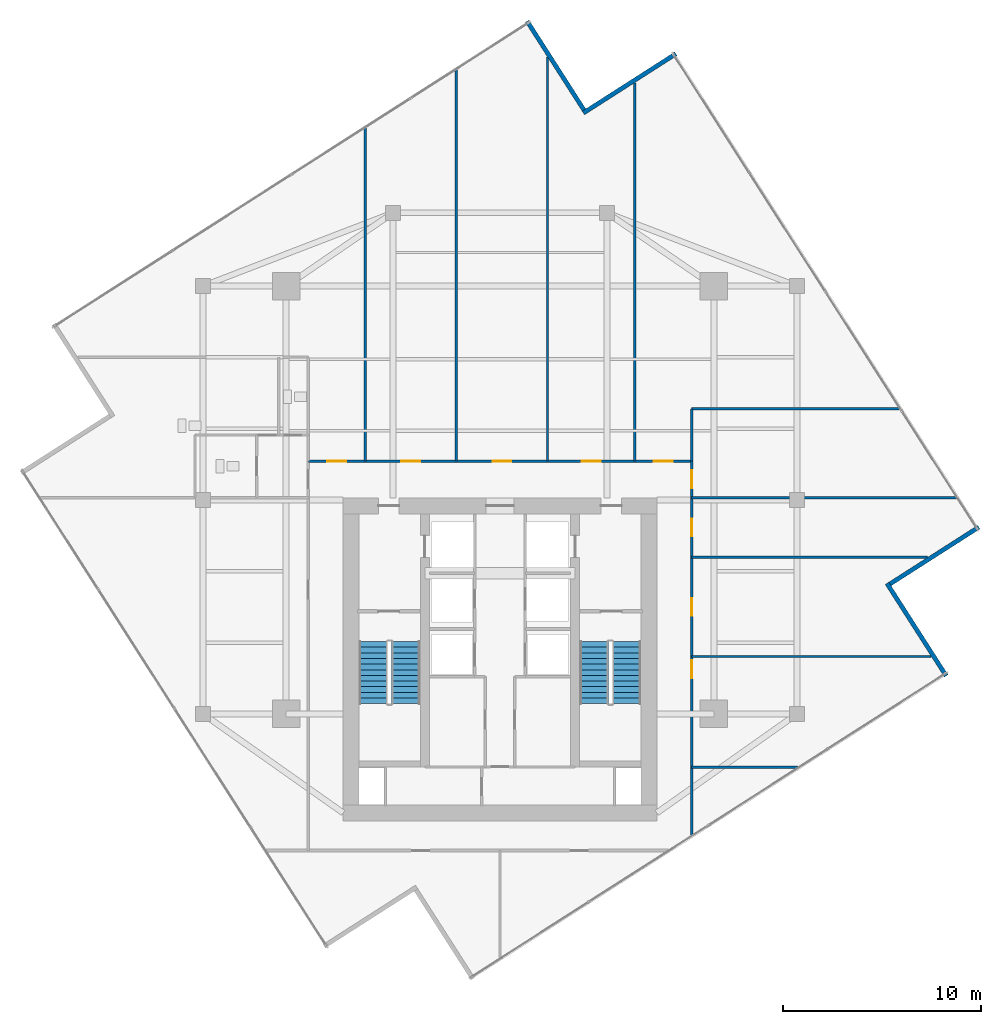
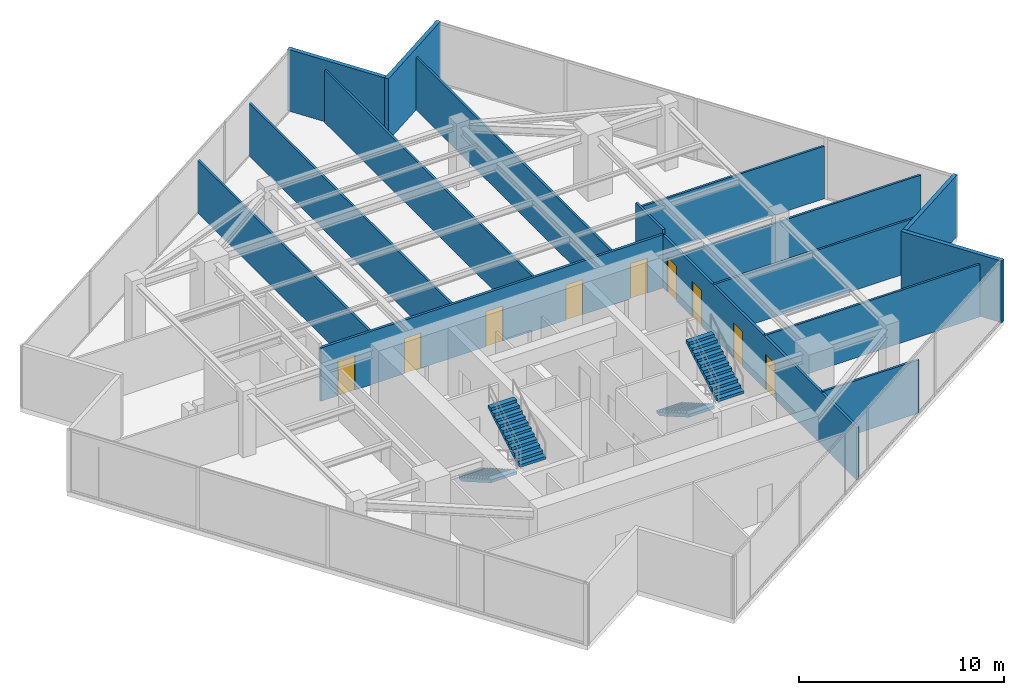
# One storey, part 18 of 20: 16 walls, 9 doors, 4 stair flights, 9 openings, 2 elements without a shape of their own.
"""IFC4 building model written with IfcOpenShell, lengths in metres."""

import ifcopenshell
import ifcopenshell.guid

model = None  # the IFC model being written
_history = None  # IfcOwnerHistory: only IFC2X3 demands one
_inside = {}  # id of a spatial element -> (the spatial element, [elements in it])
_under = {}  # id of a project, library or spatial element -> (it, [spatial elements below it])
_declared = {}  # id of a project -> (the project, [libraries it declares])
_typed = {}  # id of a type object -> (the type object, [elements of that type])
_made_of = {}  # id of a material, layer set ... -> (it, [elements and type objects made of it])


def new_model(schema):
    """Start an empty IFC model of exactly this schema.

    Asked for "IFC4X3", IfcOpenShell would pick the latest addendum, in which some entities
    have other attributes; the version numbers below select the first issue.
    IFC2X3 requires an IfcOwnerHistory on every rooted entity: one is made here for all.
    """
    global model, _history
    if schema == "IFC4X3":
        model = ifcopenshell.file(schema_version=(4, 3, 0, 0))
    else:
        model = ifcopenshell.file(schema=schema)
    _inside.clear()
    _under.clear()
    _declared.clear()
    _typed.clear()
    _made_of.clear()
    _history = None
    if model.schema == "IFC2X3":
        org = make("IfcOrganization", Name="unknown")
        user = make(
            "IfcPersonAndOrganization",
            ThePerson=make("IfcPerson", FamilyName="unknown"),
            TheOrganization=org,
        )
        app = make(
            "IfcApplication",
            ApplicationDeveloper=org,
            Version="unknown",
            ApplicationFullName="unknown",
            ApplicationIdentifier="unknown",
        )
        _history = make(
            "IfcOwnerHistory",
            OwningUser=user,
            OwningApplication=app,
            ChangeAction="ADDED",
            CreationDate=0,
        )
    return model


def make(cls, **values):
    """One entity of the class cls with the attributes given. An attribute that is None is left unset."""
    return model.create_entity(
        cls, **{name: value for name, value in values.items() if value is not None}
    )


def rooted(cls, **values):
    """An entity with a GlobalId (a new one), such as an element, a storey or a relation."""
    return make(cls, GlobalId=ifcopenshell.guid.new(), OwnerHistory=_history, **values)


def si_unit(unit_type, name, prefix=None):
    """IfcSIUnit, for example si_unit("LENGTHUNIT", "METRE", prefix="MILLI")."""
    return make("IfcSIUnit", UnitType=unit_type, Prefix=prefix, Name=name)


def assignment(units):
    """IfcUnitAssignment: the units of a project."""
    return None if units is None else make("IfcUnitAssignment", Units=units)


def point(xyz):
    """IfcCartesianPoint."""
    return None if xyz is None else make("IfcCartesianPoint", Coordinates=xyz)


def direction(xyz):
    """IfcDirection."""
    return None if xyz is None else make("IfcDirection", DirectionRatios=xyz)


def frame(location, z_axis=None, x_axis=None):
    """IfcAxis2Placement3D, a coordinate frame: its origin and axes. An axis left out is left unset."""
    return make(
        "IfcAxis2Placement3D",
        Location=point(location),
        Axis=direction(z_axis),
        RefDirection=direction(x_axis),
    )


def frame_2d(location, x_axis=None):
    """IfcAxis2Placement2D, a coordinate frame in the plane: its origin and x axis."""
    return make(
        "IfcAxis2Placement2D", Location=point(location), RefDirection=direction(x_axis)
    )


def origin():
    """The frame at (0, 0, 0) with its axes left unset."""
    return frame((0.0, 0.0, 0.0))


def place(relative_to, where):
    """IfcLocalPlacement: puts the frame where relative to a parent placement (None: the world)."""
    return make(
        "IfcLocalPlacement", PlacementRelTo=relative_to, RelativePlacement=where
    )


def context(
    kind, dimensions, precision=None, world=None, true_north=None, identifier=None
):
    """IfcGeometricRepresentationContext, for example the 3D "Model" context."""
    return make(
        "IfcGeometricRepresentationContext",
        ContextIdentifier=identifier,
        ContextType=kind,
        CoordinateSpaceDimension=dimensions,
        Precision=precision,
        WorldCoordinateSystem=world,
        TrueNorth=true_north,
    )


def subcontext(parent, identifier, kind, view, scale=None):
    """IfcGeometricRepresentationSubContext, for example "Body" below "Model"."""
    return make(
        "IfcGeometricRepresentationSubContext",
        ContextIdentifier=identifier,
        ContextType=kind,
        ParentContext=parent,
        TargetScale=scale,
        TargetView=view,
    )


def project(units=None, contexts=None):
    """IfcProject with its units and contexts."""
    return rooted(
        "IfcProject",
        Name="project",
        RepresentationContexts=contexts,
        UnitsInContext=assignment(units),
    )


def spatial(cls, under=None, at=None, **own):
    """A site, building, storey or space (cls), placed at a placement, below another one or the project."""
    s = rooted(cls, ObjectPlacement=at, **own)
    if under is not None:
        _under.setdefault(under.id(), (under, []))[1].append(s)
    return s


def polyline(points):
    """IfcPolyline through the points."""
    return make("IfcPolyline", Points=[point(p) for p in points])


def profile(cls, at=None, kind="AREA", **sizes):
    """A parametric profile (cls). Its sizes go by their IFC names, for example OverallWidth=200.0."""
    return make(cls, ProfileType=kind, Position=at, **sizes)


def rectangle(**sizes):
    """IfcRectangleProfileDef."""
    return profile("IfcRectangleProfileDef", **sizes)


def outline(outer, holes=None, kind="AREA"):
    """IfcArbitraryClosedProfileDef: a profile drawn as a closed curve; with holes, ...WithVoids."""
    if holes is None:
        return make("IfcArbitraryClosedProfileDef", ProfileType=kind, OuterCurve=outer)
    return make(
        "IfcArbitraryProfileDefWithVoids",
        ProfileType=kind,
        OuterCurve=outer,
        InnerCurves=holes,
    )


def extrude(swept, where, along, depth):
    """IfcExtrudedAreaSolid: the profile swept, set in the frame where, extruded along a direction by depth."""
    return make(
        "IfcExtrudedAreaSolid",
        SweptArea=swept,
        Position=where,
        ExtrudedDirection=direction(along),
        Depth=depth,
    )


def shape(context_of_items, identifier, shape_type, items):
    """IfcShapeRepresentation: the items that make up one representation, for example the "Body"."""
    return make(
        "IfcShapeRepresentation",
        ContextOfItems=context_of_items,
        RepresentationIdentifier=identifier,
        RepresentationType=shape_type,
        Items=items,
    )


def material(Name=None, Category=None):
    """IfcMaterial."""
    return make("IfcMaterial", Name=Name, Category=Category)


def layer(
    of_material, thickness, ventilated=None, Name=None, Category=None, Priority=None
):
    """IfcMaterialLayer: one layer of a wall or slab, of a material (None: an air gap)."""
    return make(
        "IfcMaterialLayer",
        Material=of_material,
        LayerThickness=thickness,
        IsVentilated=ventilated,
        Name=Name,
        Category=Category,
        Priority=Priority,
    )


def layer_set(layers, Name=None):
    """IfcMaterialLayerSet."""
    return make("IfcMaterialLayerSet", MaterialLayers=layers, LayerSetName=Name)


def made_of(thing, what):
    """Note that an element or type object is made of a material, layer set ...; save() writes the relation."""
    if what is not None:
        _made_of.setdefault(what.id(), (what, []))[1].append(thing)
    return thing


def type_object(cls, material=None, **own):
    """A type object (cls), such as IfcWallType, which elements share."""
    return made_of(rooted(cls, **own), material)


def element(
    cls,
    number,
    at=None,
    inside=None,
    cuts=None,
    type_object=None,
    material=None,
    context=None,
    identifier="Body",
    shape_type=None,
    held_by="IfcProductDefinitionShape",
    body=None,
    shapes=None,
    **own,
):
    """One element of the class cls, such as IfcWall. Its Tag is "e" and its number.

    at: its placement. inside: the storey or other place that contains it. cuts: it is an
    opening in that element (IfcRelVoidsElement). A single representation is given by context,
    identifier, shape_type and body (its items); several are given by shapes. held_by: the class
    of the entity that holds the representations. save() writes the other relations.
    """
    e = rooted(cls, Tag="e%d" % number, ObjectPlacement=at, **own)
    if body is not None:
        shapes = [shape(context, identifier, shape_type, body)]
    if shapes is not None:
        e.Representation = make(held_by, Representations=shapes)
    if inside is not None:
        _inside.setdefault(inside.id(), (inside, []))[1].append(e)
    if cuts is not None:
        rooted(
            "IfcRelVoidsElement", RelatingBuildingElement=cuts, RelatedOpeningElement=e
        )
    if type_object is not None:
        _typed.setdefault(type_object.id(), (type_object, []))[1].append(e)
    return made_of(e, material)


def fill(opening, filler):
    """IfcRelFillsElement: the door or window that sits in an opening."""
    return rooted(
        "IfcRelFillsElement",
        RelatingOpeningElement=opening,
        RelatedBuildingElement=filler,
    )


def aggregate(whole, parts):
    """IfcRelAggregates: a whole, such as a stair, and the parts it consists of."""
    return rooted("IfcRelAggregates", RelatingObject=whole, RelatedObjects=parts)


def save(model, path):
    """Write the relations noted so far, then the file.

    IfcRelAggregates (storeys below a building ...), IfcRelContainedInSpatialStructure (elements
    in a storey), IfcRelDefinesByType, IfcRelAssociatesMaterial and IfcRelDeclares: one each for
    every whole, place, type object, material and project.
    """
    for whole, parts in _under.values():
        aggregate(whole, parts)
    for where, things in _inside.values():
        rooted(
            "IfcRelContainedInSpatialStructure",
            RelatedElements=things,
            RelatingStructure=where,
        )
    for kind, things in _typed.values():
        rooted("IfcRelDefinesByType", RelatedObjects=things, RelatingType=kind)
    for what, things in _made_of.values():
        rooted("IfcRelAssociatesMaterial", RelatedObjects=things, RelatingMaterial=what)
    for by, libraries in _declared.values():
        rooted("IfcRelDeclares", RelatingContext=by, RelatedDefinitions=libraries)
    model.write(path)


model = new_model("IFC4")

# Units and contexts
model_context = context("Model", 3, precision=1e-05, world=origin(), true_north=direction((0.0, 1.0)))
body_context = subcontext(model_context, "Body", "Model", "MODEL_VIEW")
ifc_project = project(units=[si_unit("LENGTHUNIT", "METRE"), si_unit("AREAUNIT", "SQUARE_METRE"), si_unit("VOLUMEUNIT", "CUBIC_METRE"), si_unit("PLANEANGLEUNIT", "RADIAN"), si_unit("MASSUNIT", "GRAM", prefix="KILO")], contexts=[model_context])

# Site, building, storey
site_placement = place(None, origin())
site = spatial("IfcSite", under=ifc_project, at=site_placement, CompositionType="ELEMENT")
building_placement = place(site_placement, origin())
building = spatial("IfcBuilding", under=site, at=building_placement, Name="Krantzveldt Concourse Tower", CompositionType="ELEMENT")
storey_placement = place(building_placement, frame((0.0, 0.0, 291.10009765625)))
storey = spatial("IfcBuildingStorey", under=building, at=storey_placement, Name="L71", CompositionType="ELEMENT", Elevation=291.10009765625)

# Walls
ifc_material_1 = material(Name="Anodised aluminium 6063-T6", Category="aluminium")
ifc_layer_1 = layer(ifc_material_1, 0.219970703125, Name="Anodised aluminium 6063-T6", Category="aluminium")
ifc_layer_set_1 = layer_set([ifc_layer_1], Name="Anodised aluminium 6063-T6 (WL-EXT-NOTCH220)")
wall_type_1 = type_object("IfcWallType", Name="WL-EXT-NOTCH220", PredefinedType="ELEMENTEDWALL", material=ifc_layer_set_1)
wall_1_placement = place(storey_placement, frame((40.241455078125, 46.39404296875, 0.0), z_axis=(0.0, 0.0, 1.0), x_axis=(-0.539157771194, 0.842204783744, 0.0)))
element("IfcWall", 1, at=wall_1_placement, inside=storey, type_object=wall_type_1, Name="EW-L71-NCH00", PredefinedType="ELEMENTEDWALL", context=body_context, shape_type="SweptSolid", body=[
    extrude(rectangle(XDim=5.3251953125, YDim=0.219970703125, at=frame_2d((2.66259765625, 0.0))), origin(), (0.0, 0.0, 1.0), 3.669921875),
])
wall_2_placement = place(storey_placement, frame((58.53173828125, 17.82177734375, 0.0), z_axis=(0.0, 0.0, 1.0), x_axis=(-0.539129907131, 0.842222620948, 0.0)))
element("IfcWall", 2, at=wall_2_placement, inside=storey, type_object=wall_type_1, Name="EW-L71-NCH08", PredefinedType="ELEMENTEDWALL", context=body_context, shape_type="SweptSolid", body=[
    extrude(rectangle(XDim=5.545166015625, YDim=0.219970703125, at=frame_2d((2.7724609375, 0.0))), origin(), (0.0, 0.0, 1.0), 3.669921875),
])
wall_3_placement = place(storey_placement, frame((55.694091796875, 22.45849609375, 0.0), z_axis=(0.0, 0.0, 1.0), x_axis=(0.842204783744, 0.539157771194, 0.0)))
element("IfcWall", 3, at=wall_3_placement, inside=storey, type_object=wall_type_1, Name="EW-L71-NCH09", PredefinedType="ELEMENTEDWALL", context=body_context, shape_type="SweptSolid", body=[
    extrude(rectangle(XDim=5.3251953125, YDim=0.219970703125, at=frame_2d((2.66259765625, 0.0))), origin(), (0.0, 0.0, 1.0), 3.669921875),
])
wall_4_placement = place(storey_placement, frame((44.878173828125, 49.231689453125, 0.0), z_axis=(0.0, 0.0, 1.0), x_axis=(-0.842222620948, -0.539129907131, 0.0)))
element("IfcWall", 4, at=wall_4_placement, inside=storey, type_object=wall_type_1, Name="EW-L71-NCH11", PredefinedType="ELEMENTEDWALL", context=body_context, shape_type="SweptSolid", body=[
    extrude(rectangle(XDim=5.545166015625, YDim=0.219970703125, at=frame_2d((2.7724609375, 0.0))), origin(), (0.0, 0.0, 1.0), 3.669921875),
])
ifc_material_2 = material(Name="Fire-rated gypsum plasterboard on steel stud", Category="steel")
ifc_layer_2 = layer(ifc_material_2, 0.1201171875, Name="Fire-rated gypsum plasterboard on steel stud", Category="steel")
ifc_layer_set_2 = layer_set([ifc_layer_2], Name="Fire-rated gypsum plasterboard on steel stud (WL-PART-120)")
wall_type_2 = type_object("IfcWallType", Name="WL-PART-120", PredefinedType="PARTITIONING", material=ifc_layer_set_2)
wall_5_placement = place(storey_placement, frame((45.679931640625, 26.820068359375, 0.0), z_axis=(0.0, 0.0, 1.0), x_axis=(1.0, 0.0, 0.0)))
element("IfcWall", 5, at=wall_5_placement, inside=storey, type_object=wall_type_2, Name="WP-L71-PNTS", PredefinedType="PARTITIONING", context=body_context, shape_type="SweptSolid", body=[
    extrude(rectangle(XDim=13.408203125, YDim=0.1201171875, at=frame_2d((6.7041015625, 0.0))), origin(), (0.0, 0.0, 1.0), 3.1298828125),
])
wall_6_placement = place(storey_placement, frame((45.679931640625, 31.300048828125, 0.0), z_axis=(0.0, 0.0, 1.0), x_axis=(1.0, 0.0, 0.0)))
element("IfcWall", 6, at=wall_6_placement, inside=storey, type_object=wall_type_2, Name="WP-L71-PNTN", PredefinedType="PARTITIONING", context=body_context, shape_type="SweptSolid", body=[
    extrude(rectangle(XDim=10.54052734375, YDim=0.1201171875, at=frame_2d((5.270263671875, 0.0))), origin(), (0.0, 0.0, 1.0), 3.1298828125),
])
wall_7_placement = place(storey_placement, frame((29.199951171875, 28.659912109375, 0.0), z_axis=(0.0, 0.0, 1.0), x_axis=(0.0, 1.0, 0.0)))
element("IfcWall", 7, at=wall_7_placement, inside=storey, type_object=wall_type_2, Name="WP-L71-ND1", PredefinedType="PARTITIONING", context=body_context, shape_type="SweptSolid", body=[
    extrude(rectangle(XDim=16.852294921875, YDim=0.1201171875, at=frame_2d((8.42626953125, 0.0))), origin(), (0.0, 0.0, 1.0), 3.1298828125),
])
wall_8_placement = place(storey_placement, frame((33.800048828125, 28.659912109375, 0.0), z_axis=(0.0, 0.0, 1.0), x_axis=(0.0, 1.0, 0.0)))
element("IfcWall", 8, at=wall_8_placement, inside=storey, type_object=wall_type_2, Name="WP-L71-ND2", PredefinedType="PARTITIONING", context=body_context, shape_type="SweptSolid", body=[
    extrude(rectangle(XDim=19.796875, YDim=0.1201171875, at=frame_2d((9.8984375, 0.0))), origin(), (0.0, 0.0, 1.0), 3.1298828125),
])
wall_9_placement = place(storey_placement, frame((38.39990234375, 28.659912109375, 0.0), z_axis=(0.0, 0.0, 1.0), x_axis=(0.0, 1.0, 0.0)))
element("IfcWall", 9, at=wall_9_placement, inside=storey, type_object=wall_type_2, Name="WP-L71-ND3", PredefinedType="PARTITIONING", context=body_context, shape_type="SweptSolid", body=[
    extrude(rectangle(XDim=20.3974609375, YDim=0.1201171875, at=frame_2d((10.19873046875, 0.0))), origin(), (0.0, 0.0, 1.0), 3.1298828125),
])
wall_10_placement = place(storey_placement, frame((42.800048828125, 28.659912109375, 0.0), z_axis=(0.0, 0.0, 1.0), x_axis=(0.0, 1.0, 0.0)))
element("IfcWall", 10, at=wall_10_placement, inside=storey, type_object=wall_type_2, Name="WP-L71-ND4", PredefinedType="PARTITIONING", context=body_context, shape_type="SweptSolid", body=[
    extrude(rectangle(XDim=19.10498046875, YDim=0.1201171875, at=frame_2d((9.552490234375, 0.0))), origin(), (0.0, 0.0, 1.0), 3.1298828125),
])
wall_11_placement = place(storey_placement, frame((45.679931640625, 13.199951171875, 0.0), z_axis=(0.0, 0.0, 1.0), x_axis=(1.0, 0.0, 0.0)))
element("IfcWall", 11, at=wall_11_placement, inside=storey, type_object=wall_type_2, Name="WP-L71-ED1", PredefinedType="PARTITIONING", context=body_context, shape_type="SweptSolid", body=[
    extrude(rectangle(XDim=5.41845703125, YDim=0.1201171875, at=frame_2d((2.709228515625, 0.0))), origin(), (0.0, 0.0, 1.0), 3.179931640625),
])
wall_12_placement = place(storey_placement, frame((45.679931640625, 18.800048828125, 0.0), z_axis=(0.0, 0.0, 1.0), x_axis=(1.0, 0.0, 0.0)))
element("IfcWall", 12, at=wall_12_placement, inside=storey, type_object=wall_type_2, Name="WP-L71-ED2", PredefinedType="PARTITIONING", context=body_context, shape_type="SweptSolid", body=[
    extrude(rectangle(XDim=12.089111328125, YDim=0.1201171875, at=frame_2d((6.04443359375, 0.0))), origin(), (0.0, 0.0, 1.0), 3.1298828125),
])
wall_13_placement = place(storey_placement, frame((45.679931640625, 23.800048828125, 0.0), z_axis=(0.0, 0.0, 1.0), x_axis=(1.0, 0.0, 0.0)))
element("IfcWall", 13, at=wall_13_placement, inside=storey, type_object=wall_type_2, Name="WP-L71-ED3", PredefinedType="PARTITIONING", context=body_context, shape_type="SweptSolid", body=[
    extrude(rectangle(XDim=11.896240234375, YDim=0.1201171875, at=frame_2d((5.9482421875, 0.0))), origin(), (0.0, 0.0, 1.0), 3.1298828125),
])

# Wall, openings, doors
ifc_layer_3 = layer(ifc_material_2, 0.139892578125, Name="Fire-rated gypsum plasterboard on steel stud", Category="steel")
ifc_layer_set_3 = layer_set([ifc_layer_3], Name="Fire-rated gypsum plasterboard on steel stud (WL-PART-140)")
wall_type_3 = type_object("IfcWallType", Name="WL-PART-140", PredefinedType="PARTITIONING", material=ifc_layer_set_3)
wall_14_placement = place(storey_placement, frame((26.320068359375, 28.659912109375, 0.0), z_axis=(0.0, 0.0, 1.0), x_axis=(1.0, 0.0, 0.0)))
wall_14 = element("IfcWall", 14, at=wall_14_placement, inside=storey, type_object=wall_type_3, Name="WP-L71-CNHDR", PredefinedType="PARTITIONING", context=body_context, shape_type="SweptSolid", body=[
    extrude(rectangle(XDim=19.35986328125, YDim=0.139892578125, at=frame_2d((9.679931640625, 0.0))), origin(), (0.0, 0.0, 1.0), 3.179931640625),
])
opening_1_placement = place(wall_14_placement, frame((0.965087890625, 0.0, 0.0)))
opening_1 = element("IfcOpeningElement", 15, at=opening_1_placement, cuts=wall_14, Name="Opening D-IN095", PredefinedType="OPENING", context=body_context, shape_type="SweptSolid", body=[
    extrude(rectangle(XDim=0.949951171875, YDim=2.10009765625, at=frame_2d((0.47509765625, 1.050048828125))), frame((0.0, 0.080078125, 0.0), z_axis=(0.0, -1.0, 0.0), x_axis=(1.0, 0.0, 0.0)), (0.0, 0.0, 1.0), 0.159912109375),
])
opening_2_placement = place(wall_14_placement, frame((4.705078125, 0.0, 0.0)))
opening_2 = element("IfcOpeningElement", 16, at=opening_2_placement, cuts=wall_14, Name="Opening D-IN095", PredefinedType="OPENING", context=body_context, shape_type="SweptSolid", body=[
    extrude(rectangle(XDim=0.949951171875, YDim=2.10009765625, at=frame_2d((0.47509765625, 1.050048828125))), frame((0.0, 0.080078125, 0.0), z_axis=(0.0, -1.0, 0.0), x_axis=(1.0, 0.0, 0.0)), (0.0, 0.0, 1.0), 0.159912109375),
])
opening_3_placement = place(wall_14_placement, frame((9.304931640625, 0.0, 0.0)))
opening_3 = element("IfcOpeningElement", 17, at=opening_3_placement, cuts=wall_14, Name="Opening D-IN095", PredefinedType="OPENING", context=body_context, shape_type="SweptSolid", body=[
    extrude(rectangle(XDim=0.949951171875, YDim=2.10009765625, at=frame_2d((0.47509765625, 1.050048828125))), frame((0.0, 0.080078125, 0.0), z_axis=(0.0, -1.0, 0.0), x_axis=(1.0, 0.0, 0.0)), (0.0, 0.0, 1.0), 0.159912109375),
])
opening_4_placement = place(wall_14_placement, frame((13.804931640625, 0.0, 0.0)))
opening_4 = element("IfcOpeningElement", 18, at=opening_4_placement, cuts=wall_14, Name="Opening D-IN095", PredefinedType="OPENING", context=body_context, shape_type="SweptSolid", body=[
    extrude(rectangle(XDim=0.949951171875, YDim=2.10009765625, at=frame_2d((0.47509765625, 1.050048828125))), frame((0.0, 0.080078125, 0.0), z_axis=(0.0, -1.0, 0.0), x_axis=(1.0, 0.0, 0.0)), (0.0, 0.0, 1.0), 0.159912109375),
])
opening_5_placement = place(wall_14_placement, frame((17.445068359375, 0.0, 0.0)))
opening_5 = element("IfcOpeningElement", 19, at=opening_5_placement, cuts=wall_14, Name="Opening D-IN095", PredefinedType="OPENING", context=body_context, shape_type="SweptSolid", body=[
    extrude(rectangle(XDim=0.949951171875, YDim=2.10009765625, at=frame_2d((0.47509765625, 1.050048828125))), frame((0.0, 0.080078125, 0.0), z_axis=(0.0, -1.0, 0.0), x_axis=(1.0, 0.0, 0.0)), (0.0, 0.0, 1.0), 0.159912109375),
])
ifc_material_3 = material(Name="Hardwood timber", Category="wood")
door_type_1 = type_object("IfcDoorType", Name="DR-INT-950", OperationType="SINGLE_SWING_LEFT", PredefinedType="DOOR", material=ifc_material_3)
door_1_placement = place(opening_1_placement, origin())
door_1 = element("IfcDoor", 20, at=door_1_placement, inside=storey, type_object=door_type_1, Name="DR-L71-NR1", OperationType="SINGLE_SWING_LEFT", OverallHeight=2.10009765625, OverallWidth=0.949951171875, PredefinedType="DOOR", context=body_context, shape_type="SweptSolid", body=[
    extrude(rectangle(XDim=0.949951171875, YDim=2.10009765625, at=frame_2d((0.47509765625, 1.050048828125))), frame((0.0, 0.02490234375, 0.0), z_axis=(0.0, -1.0, 0.0), x_axis=(1.0, 0.0, 0.0)), (0.0, 0.0, 1.0), 0.050048828125),
])
fill(opening_1, door_1)
door_2_placement = place(opening_2_placement, origin())
door_2 = element("IfcDoor", 21, at=door_2_placement, inside=storey, type_object=door_type_1, Name="DR-L71-NR2", OperationType="SINGLE_SWING_LEFT", OverallHeight=2.10009765625, OverallWidth=0.949951171875, PredefinedType="DOOR", context=body_context, shape_type="SweptSolid", body=[
    extrude(rectangle(XDim=0.949951171875, YDim=2.10009765625, at=frame_2d((0.47509765625, 1.050048828125))), frame((0.0, 0.02490234375, 0.0), z_axis=(0.0, -1.0, 0.0), x_axis=(1.0, 0.0, 0.0)), (0.0, 0.0, 1.0), 0.050048828125),
])
fill(opening_2, door_2)
door_3_placement = place(opening_3_placement, origin())
door_3 = element("IfcDoor", 22, at=door_3_placement, inside=storey, type_object=door_type_1, Name="DR-L71-NR3", OperationType="SINGLE_SWING_LEFT", OverallHeight=2.10009765625, OverallWidth=0.949951171875, PredefinedType="DOOR", context=body_context, shape_type="SweptSolid", body=[
    extrude(rectangle(XDim=0.949951171875, YDim=2.10009765625, at=frame_2d((0.47509765625, 1.050048828125))), frame((0.0, 0.02490234375, 0.0), z_axis=(0.0, -1.0, 0.0), x_axis=(1.0, 0.0, 0.0)), (0.0, 0.0, 1.0), 0.050048828125),
])
fill(opening_3, door_3)
door_4_placement = place(opening_4_placement, origin())
door_4 = element("IfcDoor", 23, at=door_4_placement, inside=storey, type_object=door_type_1, Name="DR-L71-NR4", OperationType="SINGLE_SWING_LEFT", OverallHeight=2.10009765625, OverallWidth=0.949951171875, PredefinedType="DOOR", context=body_context, shape_type="SweptSolid", body=[
    extrude(rectangle(XDim=0.949951171875, YDim=2.10009765625, at=frame_2d((0.47509765625, 1.050048828125))), frame((0.0, 0.02490234375, 0.0), z_axis=(0.0, -1.0, 0.0), x_axis=(1.0, 0.0, 0.0)), (0.0, 0.0, 1.0), 0.050048828125),
])
fill(opening_4, door_4)
door_5_placement = place(opening_5_placement, origin())
door_5 = element("IfcDoor", 24, at=door_5_placement, inside=storey, type_object=door_type_1, Name="DR-L71-NR5", OperationType="SINGLE_SWING_LEFT", OverallHeight=2.10009765625, OverallWidth=0.949951171875, PredefinedType="DOOR", context=body_context, shape_type="SweptSolid", body=[
    extrude(rectangle(XDim=0.949951171875, YDim=2.10009765625, at=frame_2d((0.47509765625, 1.050048828125))), frame((0.0, 0.02490234375, 0.0), z_axis=(0.0, -1.0, 0.0), x_axis=(1.0, 0.0, 0.0)), (0.0, 0.0, 1.0), 0.050048828125),
])
fill(opening_5, door_5)

wall_15_placement = place(storey_placement, frame((45.679931640625, 9.7314453125, 0.0), z_axis=(0.0, 0.0, 1.0), x_axis=(0.0, 1.0, 0.0)))
wall_15 = element("IfcWall", 25, at=wall_15_placement, inside=storey, type_object=wall_type_3, Name="WP-L71-CEAST", PredefinedType="PARTITIONING", context=body_context, shape_type="SweptSolid", body=[
    extrude(rectangle(XDim=18.928466796875, YDim=0.139892578125, at=frame_2d((9.46435546875, 0.0))), origin(), (0.0, 0.0, 1.0), 3.1298828125),
])
opening_6_placement = place(wall_15_placement, frame((17.568603515625, 0.0, 0.0)))
opening_6 = element("IfcOpeningElement", 26, at=opening_6_placement, cuts=wall_15, Name="Opening D-IN090", PredefinedType="OPENING", context=body_context, shape_type="SweptSolid", body=[
    extrude(rectangle(XDim=0.89990234375, YDim=2.10009765625, at=frame_2d((0.449951171875, 1.050048828125))), frame((0.0, 0.080078125, 0.0), z_axis=(0.0, -1.0, 0.0), x_axis=(1.0, 0.0, 0.0)), (0.0, 0.0, 1.0), 0.159912109375),
])
opening_7_placement = place(wall_15_placement, frame((7.968505859375, 0.0, 0.0)))
opening_7 = element("IfcOpeningElement", 27, at=opening_7_placement, cuts=wall_15, Name="Opening D-IN090", PredefinedType="OPENING", context=body_context, shape_type="SweptSolid", body=[
    extrude(rectangle(XDim=0.89990234375, YDim=2.10009765625, at=frame_2d((0.449951171875, 1.050048828125))), frame((0.0, 0.080078125, 0.0), z_axis=(0.0, -1.0, 0.0), x_axis=(1.0, 0.0, 0.0)), (0.0, 0.0, 1.0), 0.159912109375),
])
opening_8_placement = place(wall_15_placement, frame((11.118408203125, 0.0, 0.0)))
opening_8 = element("IfcOpeningElement", 28, at=opening_8_placement, cuts=wall_15, Name="Opening D-IN090", PredefinedType="OPENING", context=body_context, shape_type="SweptSolid", body=[
    extrude(rectangle(XDim=0.89990234375, YDim=2.10009765625, at=frame_2d((0.449951171875, 1.050048828125))), frame((0.0, 0.080078125, 0.0), z_axis=(0.0, -1.0, 0.0), x_axis=(1.0, 0.0, 0.0)), (0.0, 0.0, 1.0), 0.159912109375),
])
opening_9_placement = place(wall_15_placement, frame((15.12841796875, 0.0, 0.0)))
opening_9 = element("IfcOpeningElement", 29, at=opening_9_placement, cuts=wall_15, Name="Opening D-IN090", PredefinedType="OPENING", context=body_context, shape_type="SweptSolid", body=[
    extrude(rectangle(XDim=0.89990234375, YDim=2.10009765625, at=frame_2d((0.449951171875, 1.050048828125))), frame((0.0, 0.080078125, 0.0), z_axis=(0.0, -1.0, 0.0), x_axis=(1.0, 0.0, 0.0)), (0.0, 0.0, 1.0), 0.159912109375),
])
door_type_2 = type_object("IfcDoorType", Name="DR-INT-900", OperationType="SINGLE_SWING_LEFT", PredefinedType="DOOR", material=ifc_material_3)
door_6_placement = place(opening_6_placement, origin())
door_6 = element("IfcDoor", 30, at=door_6_placement, inside=storey, type_object=door_type_2, Name="DR-L71-PNT", OperationType="SINGLE_SWING_RIGHT", OverallHeight=2.10009765625, OverallWidth=0.89990234375, PredefinedType="DOOR", context=body_context, shape_type="SweptSolid", body=[
    extrude(rectangle(XDim=0.89990234375, YDim=2.10009765625, at=frame_2d((0.449951171875, 1.050048828125))), frame((0.0, 0.02490234375, 0.0), z_axis=(0.0, -1.0, 0.0), x_axis=(1.0, 0.0, 0.0)), (0.0, 0.0, 1.0), 0.050048828125),
])
fill(opening_6, door_6)
door_7_placement = place(opening_7_placement, origin())
door_7 = element("IfcDoor", 31, at=door_7_placement, inside=storey, type_object=door_type_2, Name="DR-L71-ER2", OperationType="SINGLE_SWING_LEFT", OverallHeight=2.10009765625, OverallWidth=0.89990234375, PredefinedType="DOOR", context=body_context, shape_type="SweptSolid", body=[
    extrude(rectangle(XDim=0.89990234375, YDim=2.10009765625, at=frame_2d((0.449951171875, 1.050048828125))), frame((0.0, 0.02490234375, 0.0), z_axis=(0.0, -1.0, 0.0), x_axis=(1.0, 0.0, 0.0)), (0.0, 0.0, 1.0), 0.050048828125),
])
fill(opening_7, door_7)
door_8_placement = place(opening_8_placement, origin())
door_8 = element("IfcDoor", 32, at=door_8_placement, inside=storey, type_object=door_type_2, Name="DR-L71-ER3", OperationType="SINGLE_SWING_LEFT", OverallHeight=2.10009765625, OverallWidth=0.89990234375, PredefinedType="DOOR", context=body_context, shape_type="SweptSolid", body=[
    extrude(rectangle(XDim=0.89990234375, YDim=2.10009765625, at=frame_2d((0.449951171875, 1.050048828125))), frame((0.0, 0.02490234375, 0.0), z_axis=(0.0, -1.0, 0.0), x_axis=(1.0, 0.0, 0.0)), (0.0, 0.0, 1.0), 0.050048828125),
])
fill(opening_8, door_8)
door_9_placement = place(opening_9_placement, origin())
door_9 = element("IfcDoor", 33, at=door_9_placement, inside=storey, type_object=door_type_2, Name="DR-L71-ER4", OperationType="SINGLE_SWING_LEFT", OverallHeight=2.10009765625, OverallWidth=0.89990234375, PredefinedType="DOOR", context=body_context, shape_type="SweptSolid", body=[
    extrude(rectangle(XDim=0.89990234375, YDim=2.10009765625, at=frame_2d((0.449951171875, 1.050048828125))), frame((0.0, 0.02490234375, 0.0), z_axis=(0.0, -1.0, 0.0), x_axis=(1.0, 0.0, 0.0)), (0.0, 0.0, 1.0), 0.050048828125),
])
fill(opening_9, door_9)

# Wall
wall_16_placement = place(storey_placement, frame((45.679931640625, 28.659912109375, 0.0), z_axis=(0.0, 0.0, 1.0), x_axis=(0.0, 1.0, 0.0)))
element("IfcWall", 34, at=wall_16_placement, inside=storey, type_object=wall_type_3, Name="WP-L71-NER", PredefinedType="PARTITIONING", context=body_context, shape_type="SweptSolid", body=[
    extrude(rectangle(XDim=2.64013671875, YDim=0.139892578125, at=frame_2d((1.320068359375, 0.0))), origin(), (0.0, 0.0, 1.0), 3.429931640625),
])

# Stair, stair flights
ifc_material_4 = material(Name="Precast concrete C40/50", Category="concrete")
stair_type = type_object("IfcStairType", Name="STR-CORE-DOGLEG", PredefinedType="HALF_TURN_STAIR", material=ifc_material_4)
stair_1_placement = place(storey_placement, origin())
stair_1 = element("IfcStair", 35, at=stair_1_placement, inside=storey, type_object=stair_type, Name="L71 Protected Escape Stair ST-1", PredefinedType="HALF_TURN_STAIR")
stair_flight_type = type_object("IfcStairFlightType", Name="STF-CORE-1450", PredefinedType="STRAIGHT", material=ifc_material_4)
stair_flight_1_placement = place(storey_placement, frame((29.60498046875, 19.550048828125, 0.0), z_axis=(0.0, 0.0, 1.0), x_axis=(0.0, -1.0, 0.0)))
stair_flight_1 = element("IfcStairFlight", 36, at=stair_flight_1_placement, type_object=stair_flight_type, Name="ST-1 flight 1", NumberOfRisers=12, NumberOfTreads=11, PredefinedType="STRAIGHT", RiserHeight=0.164583333, TreadLength=0.285, context=body_context, shape_type="SweptSolid", body=[
    extrude(outline(polyline([(0.0, 0.0), (0.0, 0.16455078125), (0.284912109375, 0.16455078125), (0.284912109375, 0.3291015625), (0.570068359375, 0.3291015625), (0.570068359375, 0.49365234375), (0.85498046875, 0.49365234375), (0.85498046875, 0.658447265625), (1.139892578125, 0.658447265625), (1.139892578125, 0.822998046875), (1.425048828125, 0.822998046875), (1.425048828125, 0.987548828125), (1.7099609375, 0.987548828125), (1.7099609375, 1.152099609375), (1.9951171875, 1.152099609375), (1.9951171875, 1.316650390625), (2.280029296875, 1.316650390625), (2.280029296875, 1.481201171875), (2.56494140625, 1.481201171875), (2.56494140625, 1.645751953125), (2.85009765625, 1.645751953125), (2.85009765625, 1.810302734375), (3.135009765625, 1.810302734375), (3.135009765625, 1.97509765625), (3.135009765625, 1.63720703125), (0.2998046875, 0.0), (0.0, 0.0)])), frame((0.0, 0.72509765625, 0.0), z_axis=(0.0, -1.0, 0.0), x_axis=(1.0, 0.0, 0.0)), (0.0, 0.0, 1.0), 1.449951171875),
])
stair_flight_2_placement = place(storey_placement, frame((31.2548828125, 16.4150390625, 1.974853515625), z_axis=(0.0, 0.0, 1.0), x_axis=(0.0, 1.0, 0.0)))
stair_flight_2 = element("IfcStairFlight", 37, at=stair_flight_2_placement, type_object=stair_flight_type, Name="ST-1 flight 2", NumberOfRisers=12, NumberOfTreads=11, PredefinedType="STRAIGHT", RiserHeight=0.164583333, TreadLength=0.285, context=body_context, shape_type="SweptSolid", body=[
    extrude(outline(polyline([(0.0, 0.0), (0.0, 0.16455078125), (0.284912109375, 0.16455078125), (0.284912109375, 0.3291015625), (0.570068359375, 0.3291015625), (0.570068359375, 0.49365234375), (0.85498046875, 0.49365234375), (0.85498046875, 0.658447265625), (1.139892578125, 0.658447265625), (1.139892578125, 0.822998046875), (1.425048828125, 0.822998046875), (1.425048828125, 0.987548828125), (1.7099609375, 0.987548828125), (1.7099609375, 1.152099609375), (1.9951171875, 1.152099609375), (1.9951171875, 1.316650390625), (2.280029296875, 1.316650390625), (2.280029296875, 1.481201171875), (2.56494140625, 1.481201171875), (2.56494140625, 1.645751953125), (2.85009765625, 1.645751953125), (2.85009765625, 1.810302734375), (3.135009765625, 1.810302734375), (3.135009765625, 1.97509765625), (3.135009765625, 1.63720703125), (0.2998046875, 0.0), (0.0, 0.0)])), frame((0.0, 0.72509765625, 0.0), z_axis=(0.0, -1.0, 0.0), x_axis=(1.0, 0.0, 0.0)), (0.0, 0.0, 1.0), 1.449951171875),
])
aggregate(stair_1, [stair_flight_1, stair_flight_2])

stair_2_placement = place(storey_placement, origin())
stair_2 = element("IfcStair", 38, at=stair_2_placement, inside=storey, type_object=stair_type, Name="L71 Protected Escape Stair ST-2", PredefinedType="HALF_TURN_STAIR")
stair_flight_3_placement = place(storey_placement, frame((40.7451171875, 19.550048828125, 0.0), z_axis=(0.0, 0.0, 1.0), x_axis=(0.0, -1.0, 0.0)))
stair_flight_3 = element("IfcStairFlight", 39, at=stair_flight_3_placement, type_object=stair_flight_type, Name="ST-2 flight 1", NumberOfRisers=12, NumberOfTreads=11, PredefinedType="STRAIGHT", RiserHeight=0.164583333, TreadLength=0.285, context=body_context, shape_type="SweptSolid", body=[
    extrude(outline(polyline([(0.0, 0.0), (0.0, 0.16455078125), (0.284912109375, 0.16455078125), (0.284912109375, 0.3291015625), (0.570068359375, 0.3291015625), (0.570068359375, 0.49365234375), (0.85498046875, 0.49365234375), (0.85498046875, 0.658447265625), (1.139892578125, 0.658447265625), (1.139892578125, 0.822998046875), (1.425048828125, 0.822998046875), (1.425048828125, 0.987548828125), (1.7099609375, 0.987548828125), (1.7099609375, 1.152099609375), (1.9951171875, 1.152099609375), (1.9951171875, 1.316650390625), (2.280029296875, 1.316650390625), (2.280029296875, 1.481201171875), (2.56494140625, 1.481201171875), (2.56494140625, 1.645751953125), (2.85009765625, 1.645751953125), (2.85009765625, 1.810302734375), (3.135009765625, 1.810302734375), (3.135009765625, 1.97509765625), (3.135009765625, 1.63720703125), (0.2998046875, 0.0), (0.0, 0.0)])), frame((0.0, 0.72509765625, 0.0), z_axis=(0.0, -1.0, 0.0), x_axis=(1.0, 0.0, 0.0)), (0.0, 0.0, 1.0), 1.449951171875),
])
stair_flight_4_placement = place(storey_placement, frame((42.39501953125, 16.4150390625, 1.974853515625), z_axis=(0.0, 0.0, 1.0), x_axis=(0.0, 1.0, 0.0)))
stair_flight_4 = element("IfcStairFlight", 40, at=stair_flight_4_placement, type_object=stair_flight_type, Name="ST-2 flight 2", NumberOfRisers=12, NumberOfTreads=11, PredefinedType="STRAIGHT", RiserHeight=0.164583333, TreadLength=0.285, context=body_context, shape_type="SweptSolid", body=[
    extrude(outline(polyline([(0.0, 0.0), (0.0, 0.16455078125), (0.284912109375, 0.16455078125), (0.284912109375, 0.3291015625), (0.570068359375, 0.3291015625), (0.570068359375, 0.49365234375), (0.85498046875, 0.49365234375), (0.85498046875, 0.658447265625), (1.139892578125, 0.658447265625), (1.139892578125, 0.822998046875), (1.425048828125, 0.822998046875), (1.425048828125, 0.987548828125), (1.7099609375, 0.987548828125), (1.7099609375, 1.152099609375), (1.9951171875, 1.152099609375), (1.9951171875, 1.316650390625), (2.280029296875, 1.316650390625), (2.280029296875, 1.481201171875), (2.56494140625, 1.481201171875), (2.56494140625, 1.645751953125), (2.85009765625, 1.645751953125), (2.85009765625, 1.810302734375), (3.135009765625, 1.810302734375), (3.135009765625, 1.97509765625), (3.135009765625, 1.63720703125), (0.2998046875, 0.0), (0.0, 0.0)])), frame((0.0, 0.72509765625, 0.0), z_axis=(0.0, -1.0, 0.0), x_axis=(1.0, 0.0, 0.0)), (0.0, 0.0, 1.0), 1.449951171875),
])
aggregate(stair_2, [stair_flight_3, stair_flight_4])

save(model, "model.ifc")
